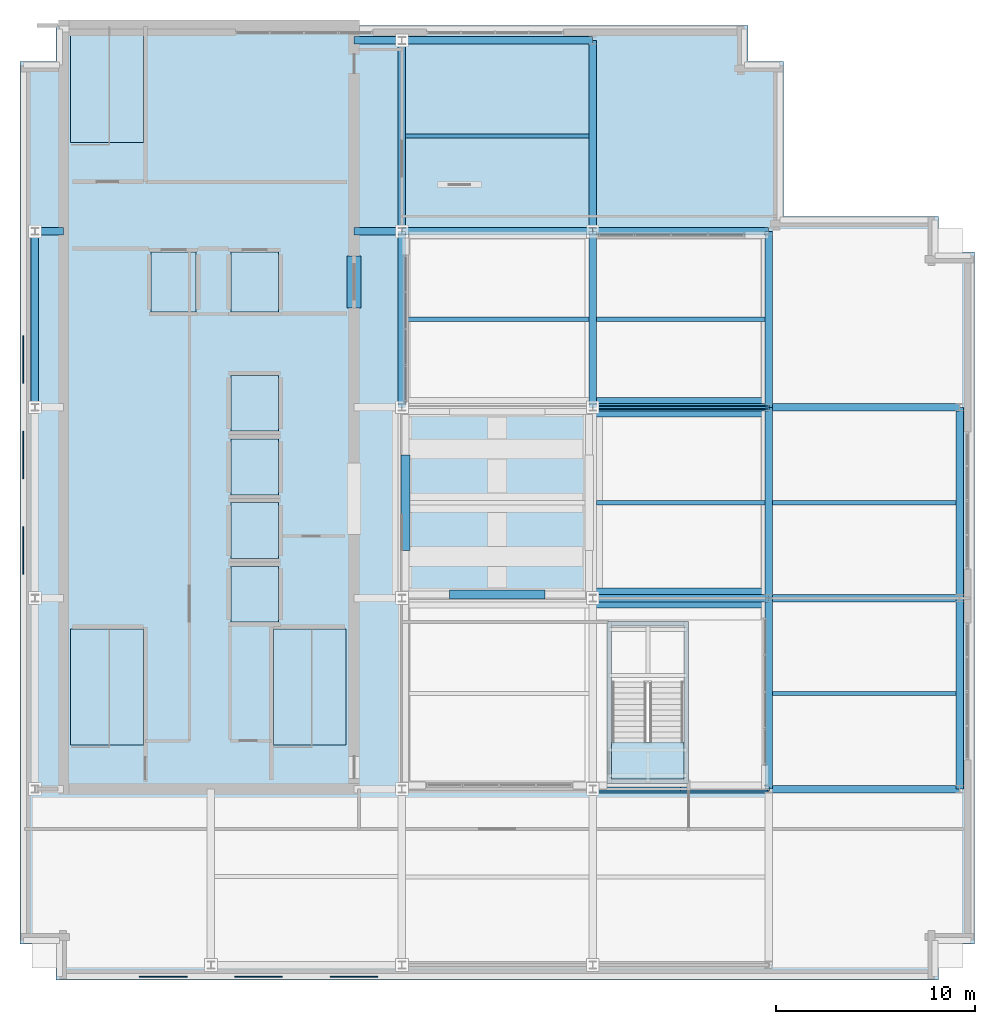
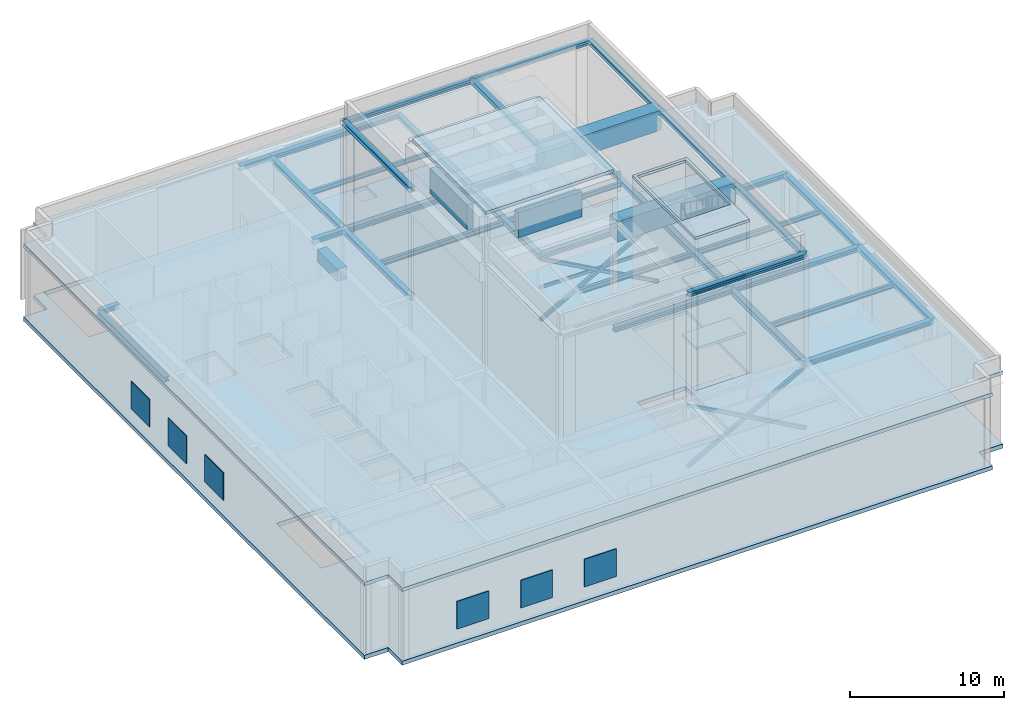
# One storey, part 4 of 17: 38 beams, 8 plates, 7 slabs, 5 members, 1 element without a shape of its own.
"""IFC4 building model written with IfcOpenShell, lengths in metres."""

from ifc_helpers import new_model, si_unit, direction, frame, origin, origin_2d, place, context, subcontext, project, spatial, polyline, rectangle, hollow_rectangle, i_section, outline, extrude, material, layer, layer_set, material_profile, profile_set, type_object, element, aggregate, save


model = new_model("IFC4")

# Units and contexts
model_context = context("Model", 3, precision=1e-05, world=origin(), true_north=direction((0.0, 1.0)))
body_context = subcontext(model_context, "Body", "Model", "MODEL_VIEW")
ifc_project = project(units=[si_unit("LENGTHUNIT", "METRE"), si_unit("AREAUNIT", "SQUARE_METRE"), si_unit("VOLUMEUNIT", "CUBIC_METRE"), si_unit("PLANEANGLEUNIT", "RADIAN"), si_unit("MASSUNIT", "GRAM", prefix="KILO")], contexts=[model_context])

# Site, building, storey
site_placement = place(None, origin())
site = spatial("IfcSite", under=ifc_project, at=site_placement, CompositionType="ELEMENT")
building_placement = place(site_placement, origin())
building = spatial("IfcBuilding", under=site, at=building_placement, Name="Norrvale University Quadrangle", CompositionType="ELEMENT")
storey_placement = place(building_placement, frame((0.0, 0.0, 308.0)))
storey = spatial("IfcBuildingStorey", under=building, at=storey_placement, Name="L78", CompositionType="ELEMENT", Elevation=308.0)

# Beams
ifc_material_1 = material(Name="Concrete C80/95", Category="concrete")
ifc_material_profile_1 = material_profile(ifc_material_1, rectangle(XDim=0.699951171875, YDim=0.949951171875, at=origin_2d()), Name="Concrete C80/95")
ifc_profile_set_1 = profile_set([ifc_material_profile_1], Name="Concrete C80/95")
beam_type_1 = type_object("IfcBeamType", Name="Beam Core Link 700x950", PredefinedType="LINTEL", material=ifc_profile_set_1)
beam_1_placement = place(storey_placement, frame((16.800048828125, 33.800048828125, 5.044921875), z_axis=(0.0, 1.0, 0.0), x_axis=(-1.0, 0.0, 0.0)))
element("IfcBeam", 1, at=beam_1_placement, inside=storey, type_object=beam_type_1, Name="Core Coupling Lintel Beam L78-2", PredefinedType="LINTEL", context=body_context, shape_type="SweptSolid", body=[
    extrude(rectangle(XDim=0.699951171875, YDim=0.949951171875, at=origin_2d()), origin(), (0.0, 0.0, 1.0), 2.599853515625),
])
ifc_material_2 = material(Name="Steel 350W", Category="steel")
ifc_material_profile_2 = material_profile(ifc_material_2, i_section(OverallWidth=0.368896484375, OverallDepth=0.35595703125, WebThickness=0.01123046875, FlangeThickness=0.01806640625, FilletRadius=0.014892578125, at=origin_2d()), Name="Steel 350W")
ifc_profile_set_2 = profile_set([ifc_material_profile_2], Name="Steel 350W")
beam_type_2 = type_object("IfcBeamType", Name="Beam Crown W360x134", PredefinedType="BEAM", material=ifc_profile_set_2)
beam_2_placement = place(storey_placement, frame((37.64990234375, 9.60009765625, 5.342041015625), z_axis=(1.0, 0.0, 0.0), x_axis=(0.0, 1.0, 0.0)))
element("IfcBeam", 2, at=beam_2_placement, inside=storey, type_object=beam_type_2, Name="Beam Crown W360x134 BM-L78-GX006", PredefinedType="BEAM", context=body_context, shape_type="SweptSolid", body=[
    extrude(i_section(OverallWidth=0.368896484375, OverallDepth=0.35595703125, WebThickness=0.01123046875, FlangeThickness=0.01806640625, FilletRadius=0.014892578125, at=origin_2d()), origin(), (0.0, 0.0, 1.0), 9.60009765625),
])
beam_3_placement = place(storey_placement, frame((28.800048828125, 19.199951171875, 5.342041015625), z_axis=(1.0, 0.0, 0.0), x_axis=(0.0, 1.0, 0.0)))
element("IfcBeam", 3, at=beam_3_placement, inside=storey, type_object=beam_type_2, Name="Beam Crown W360x134 BM-L78-GX008", PredefinedType="BEAM", context=body_context, shape_type="SweptSolid", body=[
    extrude(i_section(OverallWidth=0.368896484375, OverallDepth=0.35595703125, WebThickness=0.01123046875, FlangeThickness=0.01806640625, FilletRadius=0.014892578125, at=origin_2d()), origin(), (0.0, 0.0, 1.0), 8.849853515625),
])
beam_4_placement = place(storey_placement, frame((37.64990234375, 19.199951171875, 5.342041015625), z_axis=(1.0, 0.0, 0.0), x_axis=(0.0, 1.0, 0.0)))
element("IfcBeam", 4, at=beam_4_placement, inside=storey, type_object=beam_type_2, Name="Beam Crown W360x134 BM-L78-GX009", PredefinedType="BEAM", context=body_context, shape_type="SweptSolid", body=[
    extrude(i_section(OverallWidth=0.368896484375, OverallDepth=0.35595703125, WebThickness=0.01123046875, FlangeThickness=0.01806640625, FilletRadius=0.014892578125, at=origin_2d()), origin(), (0.0, 0.0, 1.0), 9.60009765625),
])
beam_5_placement = place(storey_placement, frame((28.800048828125, 28.800048828125, 5.342041015625), z_axis=(1.0, 0.0, 0.0), x_axis=(0.0, 1.0, 0.0)))
element("IfcBeam", 5, at=beam_5_placement, inside=storey, type_object=beam_type_2, Name="Beam Crown W360x134 BM-L78-GX011", PredefinedType="BEAM", context=body_context, shape_type="SweptSolid", body=[
    extrude(i_section(OverallWidth=0.368896484375, OverallDepth=0.35595703125, WebThickness=0.01123046875, FlangeThickness=0.01806640625, FilletRadius=0.014892578125, at=origin_2d()), origin(), (0.0, 0.0, 1.0), 8.849853515625),
])
for number, where, z_axis, x_axis, name in (
    (6, (37.64990234375, 28.800048828125, 5.342041015625), (1.0, 0.0, 0.0), (0.0, 1.0, 0.0), "Beam Crown W360x134 BM-L78-GX012"),
    (7, (19.199951171875, 37.64990234375, 5.342041015625), (1.0, 0.0, 0.0), (0.0, 1.0, 0.0), "Beam Crown W360x134 BM-L78-GX013"),
):
    element("IfcBeam", number, at=place(storey_placement, frame(where, z_axis=z_axis, x_axis=x_axis)), inside=storey, type_object=beam_type_2, Name=name, PredefinedType="BEAM", context=body_context, shape_type="SweptSolid", body=[
        extrude(i_section(OverallWidth=0.368896484375, OverallDepth=0.35595703125, WebThickness=0.01123046875, FlangeThickness=0.01806640625, FilletRadius=0.014892578125, at=origin_2d()), origin(), (0.0, 0.0, 1.0), 9.60009765625),
    ])
beam_6_placement = place(storey_placement, frame((28.800048828125, 37.64990234375, 5.342041015625), z_axis=(1.0, 0.0, 0.0), x_axis=(0.0, 1.0, 0.0)))
element("IfcBeam", 8, at=beam_6_placement, inside=storey, type_object=beam_type_2, Name="Beam Crown W360x134 BM-L78-GX014", PredefinedType="BEAM", context=body_context, shape_type="SweptSolid", body=[
    extrude(i_section(OverallWidth=0.368896484375, OverallDepth=0.35595703125, WebThickness=0.01123046875, FlangeThickness=0.01806640625, FilletRadius=0.014892578125, at=origin_2d()), origin(), (0.0, 0.0, 1.0), 8.849853515625),
])
beam_7_placement = place(storey_placement, frame((19.199951171875, 47.25, 5.342041015625), z_axis=(1.0, 0.0, 0.0), x_axis=(0.0, 1.0, 0.0)))
element("IfcBeam", 9, at=beam_7_placement, inside=storey, type_object=beam_type_2, Name="Beam Crown W360x134 BM-L78-GX015", PredefinedType="BEAM", context=body_context, shape_type="SweptSolid", body=[
    extrude(i_section(OverallWidth=0.368896484375, OverallDepth=0.35595703125, WebThickness=0.01123046875, FlangeThickness=0.01806640625, FilletRadius=0.014892578125, at=origin_2d()), origin(), (0.0, 0.0, 1.0), 9.60009765625),
])
for number, where, z_axis, x_axis, name in (
    (10, (0.75, 28.800048828125, 5.342041015625), (0.0, 1.0, 0.0), (-1.0, 0.0, 0.0), "Beam Crown W360x134 BM-L78-GY018"),
    (11, (19.199951171875, 28.800048828125, 5.342041015625), (0.0, 1.0, 0.0), (-1.0, 0.0, 0.0), "Beam Crown W360x134 BM-L78-GY022"),
):
    element("IfcBeam", number, at=place(storey_placement, frame(where, z_axis=z_axis, x_axis=x_axis)), inside=storey, type_object=beam_type_2, Name=name, PredefinedType="BEAM", context=body_context, shape_type="SweptSolid", body=[
        extrude(i_section(OverallWidth=0.368896484375, OverallDepth=0.35595703125, WebThickness=0.01123046875, FlangeThickness=0.01806640625, FilletRadius=0.014892578125, at=origin_2d()), origin(), (0.0, 0.0, 1.0), 8.849853515625),
    ])
beam_8_placement = place(storey_placement, frame((19.199951171875, 37.64990234375, 5.342041015625), z_axis=(0.0, 1.0, 0.0), x_axis=(-1.0, 0.0, 0.0)))
element("IfcBeam", 12, at=beam_8_placement, inside=storey, type_object=beam_type_2, Name="Beam Crown W360x134 BM-L78-GY023", PredefinedType="BEAM", context=body_context, shape_type="SweptSolid", body=[
    extrude(i_section(OverallWidth=0.368896484375, OverallDepth=0.35595703125, WebThickness=0.01123046875, FlangeThickness=0.01806640625, FilletRadius=0.014892578125, at=origin_2d()), origin(), (0.0, 0.0, 1.0), 9.60009765625),
])
beam_9_placement = place(storey_placement, frame((28.800048828125, 28.800048828125, 5.342041015625), z_axis=(0.0, 1.0, 0.0), x_axis=(-1.0, 0.0, 0.0)))
element("IfcBeam", 13, at=beam_9_placement, inside=storey, type_object=beam_type_2, Name="Beam Crown W360x134 BM-L78-GY027", PredefinedType="BEAM", context=body_context, shape_type="SweptSolid", body=[
    extrude(i_section(OverallWidth=0.368896484375, OverallDepth=0.35595703125, WebThickness=0.01123046875, FlangeThickness=0.01806640625, FilletRadius=0.014892578125, at=origin_2d()), origin(), (0.0, 0.0, 1.0), 8.849853515625),
])
beam_10_placement = place(storey_placement, frame((28.800048828125, 37.64990234375, 5.342041015625), z_axis=(0.0, 1.0, 0.0), x_axis=(-1.0, 0.0, 0.0)))
element("IfcBeam", 14, at=beam_10_placement, inside=storey, type_object=beam_type_2, Name="Beam Crown W360x134 BM-L78-GY028", PredefinedType="BEAM", context=body_context, shape_type="SweptSolid", body=[
    extrude(i_section(OverallWidth=0.368896484375, OverallDepth=0.35595703125, WebThickness=0.01123046875, FlangeThickness=0.01806640625, FilletRadius=0.014892578125, at=origin_2d()), origin(), (0.0, 0.0, 1.0), 9.60009765625),
])
beam_11_placement = place(storey_placement, frame((37.64990234375, 9.60009765625, 5.342041015625), z_axis=(0.0, 1.0, 0.0), x_axis=(-1.0, 0.0, 0.0)))
element("IfcBeam", 15, at=beam_11_placement, inside=storey, type_object=beam_type_2, Name="Beam Crown W360x134 BM-L78-GY030", PredefinedType="BEAM", context=body_context, shape_type="SweptSolid", body=[
    extrude(i_section(OverallWidth=0.368896484375, OverallDepth=0.35595703125, WebThickness=0.01123046875, FlangeThickness=0.01806640625, FilletRadius=0.014892578125, at=origin_2d()), origin(), (0.0, 0.0, 1.0), 9.599853515625),
])
beam_12_placement = place(storey_placement, frame((37.64990234375, 19.199951171875, 5.342041015625), z_axis=(0.0, 1.0, 0.0), x_axis=(-1.0, 0.0, 0.0)))
element("IfcBeam", 16, at=beam_12_placement, inside=storey, type_object=beam_type_2, Name="Beam Crown W360x134 BM-L78-GY031", PredefinedType="BEAM", context=body_context, shape_type="SweptSolid", body=[
    extrude(i_section(OverallWidth=0.368896484375, OverallDepth=0.35595703125, WebThickness=0.01123046875, FlangeThickness=0.01806640625, FilletRadius=0.014892578125, at=origin_2d()), origin(), (0.0, 0.0, 1.0), 9.60009765625),
])
beam_13_placement = place(storey_placement, frame((37.64990234375, 28.800048828125, 5.342041015625), z_axis=(0.0, 1.0, 0.0), x_axis=(-1.0, 0.0, 0.0)))
element("IfcBeam", 17, at=beam_13_placement, inside=storey, type_object=beam_type_2, Name="Beam Crown W360x134 BM-L78-GY032", PredefinedType="BEAM", context=body_context, shape_type="SweptSolid", body=[
    extrude(i_section(OverallWidth=0.368896484375, OverallDepth=0.35595703125, WebThickness=0.01123046875, FlangeThickness=0.01806640625, FilletRadius=0.014892578125, at=origin_2d()), origin(), (0.0, 0.0, 1.0), 8.849853515625),
])
beam_14_placement = place(storey_placement, frame((47.25, 9.60009765625, 5.342041015625), z_axis=(0.0, 1.0, 0.0), x_axis=(-1.0, 0.0, 0.0)))
element("IfcBeam", 18, at=beam_14_placement, inside=storey, type_object=beam_type_2, Name="Beam Crown W360x134 BM-L78-GY033", PredefinedType="BEAM", context=body_context, shape_type="SweptSolid", body=[
    extrude(i_section(OverallWidth=0.368896484375, OverallDepth=0.35595703125, WebThickness=0.01123046875, FlangeThickness=0.01806640625, FilletRadius=0.014892578125, at=origin_2d()), origin(), (0.0, 0.0, 1.0), 9.599853515625),
])
beam_15_placement = place(storey_placement, frame((47.25, 19.199951171875, 5.342041015625), z_axis=(0.0, 1.0, 0.0), x_axis=(-1.0, 0.0, 0.0)))
element("IfcBeam", 19, at=beam_15_placement, inside=storey, type_object=beam_type_2, Name="Beam Crown W360x134 BM-L78-GY034", PredefinedType="BEAM", context=body_context, shape_type="SweptSolid", body=[
    extrude(i_section(OverallWidth=0.368896484375, OverallDepth=0.35595703125, WebThickness=0.01123046875, FlangeThickness=0.01806640625, FilletRadius=0.014892578125, at=origin_2d()), origin(), (0.0, 0.0, 1.0), 9.60009765625),
])
beam_16_placement = place(storey_placement, frame((0.75, 37.64990234375, 5.342041015625), z_axis=(1.0, 0.0, 0.0), x_axis=(0.0, 1.0, 0.0)))
element("IfcBeam", 20, at=beam_16_placement, inside=storey, type_object=beam_type_2, Name="Beam Crown W360x134 BM-L78-GCW041", PredefinedType="BEAM", context=body_context, shape_type="SweptSolid", body=[
    extrude(i_section(OverallWidth=0.368896484375, OverallDepth=0.35595703125, WebThickness=0.01123046875, FlangeThickness=0.01806640625, FilletRadius=0.014892578125, at=origin_2d()), origin(), (0.0, 0.0, 1.0), 1.449951171875),
])
for number, where, z_axis, x_axis, name in (
    (21, (16.800048828125, 37.64990234375, 5.342041015625), (1.0, 0.0, 0.0), (0.0, 1.0, 0.0), "Beam Crown W360x134 BM-L78-GCE042"),
    (22, (16.800048828125, 47.25, 5.342041015625), (1.0, 0.0, 0.0), (0.0, 1.0, 0.0), "Beam Crown W360x134 BM-L78-GCE043"),
):
    element("IfcBeam", number, at=place(storey_placement, frame(where, z_axis=z_axis, x_axis=x_axis)), inside=storey, type_object=beam_type_2, Name=name, PredefinedType="BEAM", context=body_context, shape_type="SweptSolid", body=[
        extrude(i_section(OverallWidth=0.368896484375, OverallDepth=0.35595703125, WebThickness=0.01123046875, FlangeThickness=0.01806640625, FilletRadius=0.014892578125, at=origin_2d()), origin(), (0.0, 0.0, 1.0), 2.39990234375),
    ])
beam_17_placement = place(storey_placement, frame((28.800048828125, 9.60009765625, 13.94189453125), z_axis=(1.0, 0.0, 0.0), x_axis=(0.0, 1.0, 0.0)))
element("IfcBeam", 23, at=beam_17_placement, inside=storey, type_object=beam_type_2, Name="Crown Lantern Roof Girder X02", PredefinedType="BEAM", context=body_context, shape_type="SweptSolid", body=[
    extrude(i_section(OverallWidth=0.368896484375, OverallDepth=0.35595703125, WebThickness=0.01123046875, FlangeThickness=0.01806640625, FilletRadius=0.014892578125, at=origin_2d()), origin(), (0.0, 0.0, 1.0), 8.849853515625),
])
beam_18_placement = place(storey_placement, frame((19.199951171875, 37.64990234375, 13.94189453125), z_axis=(1.0, 0.0, 0.0), x_axis=(0.0, 1.0, 0.0)))
element("IfcBeam", 24, at=beam_18_placement, inside=storey, type_object=beam_type_2, Name="Crown Lantern Roof Girder X07", PredefinedType="BEAM", context=body_context, shape_type="SweptSolid", body=[
    extrude(i_section(OverallWidth=0.368896484375, OverallDepth=0.35595703125, WebThickness=0.01123046875, FlangeThickness=0.01806640625, FilletRadius=0.014892578125, at=origin_2d()), origin(), (0.0, 0.0, 1.0), 9.60009765625),
])
for number, where, z_axis, x_axis, name in (
    (25, (28.800048828125, 37.64990234375, 13.94189453125), (1.0, 0.0, 0.0), (0.0, 1.0, 0.0), "Crown Lantern Roof Girder X08"),
    (26, (19.199951171875, 28.800048828125, 13.94189453125), (0.0, 1.0, 0.0), (-1.0, 0.0, 0.0), "Crown Lantern Roof Girder Y11"),
    (27, (28.800048828125, 28.800048828125, 13.94189453125), (0.0, 1.0, 0.0), (-1.0, 0.0, 0.0), "Crown Lantern Roof Girder Y14"),
):
    element("IfcBeam", number, at=place(storey_placement, frame(where, z_axis=z_axis, x_axis=x_axis)), inside=storey, type_object=beam_type_2, Name=name, PredefinedType="BEAM", context=body_context, shape_type="SweptSolid", body=[
        extrude(i_section(OverallWidth=0.368896484375, OverallDepth=0.35595703125, WebThickness=0.01123046875, FlangeThickness=0.01806640625, FilletRadius=0.014892578125, at=origin_2d()), origin(), (0.0, 0.0, 1.0), 8.849853515625),
    ])
beam_19_placement = place(storey_placement, frame((37.64990234375, 9.60009765625, 13.94189453125), z_axis=(0.0, 1.0, 0.0), x_axis=(-1.0, 0.0, 0.0)))
element("IfcBeam", 28, at=beam_19_placement, inside=storey, type_object=beam_type_2, Name="Crown Lantern Roof Girder Y15", PredefinedType="BEAM", context=body_context, shape_type="SweptSolid", body=[
    extrude(i_section(OverallWidth=0.368896484375, OverallDepth=0.35595703125, WebThickness=0.01123046875, FlangeThickness=0.01806640625, FilletRadius=0.014892578125, at=origin_2d()), origin(), (0.0, 0.0, 1.0), 9.599853515625),
])
beam_20_placement = place(storey_placement, frame((37.64990234375, 19.199951171875, 13.94189453125), z_axis=(0.0, 1.0, 0.0), x_axis=(-1.0, 0.0, 0.0)))
element("IfcBeam", 29, at=beam_20_placement, inside=storey, type_object=beam_type_2, Name="Crown Lantern Roof Girder Y16", PredefinedType="BEAM", context=body_context, shape_type="SweptSolid", body=[
    extrude(i_section(OverallWidth=0.368896484375, OverallDepth=0.35595703125, WebThickness=0.01123046875, FlangeThickness=0.01806640625, FilletRadius=0.014892578125, at=origin_2d()), origin(), (0.0, 0.0, 1.0), 9.60009765625),
])
beam_21_placement = place(storey_placement, frame((37.64990234375, 28.800048828125, 13.94189453125), z_axis=(0.0, 1.0, 0.0), x_axis=(-1.0, 0.0, 0.0)))
element("IfcBeam", 30, at=beam_21_placement, inside=storey, type_object=beam_type_2, Name="Crown Lantern Roof Girder Y17", PredefinedType="BEAM", context=body_context, shape_type="SweptSolid", body=[
    extrude(i_section(OverallWidth=0.368896484375, OverallDepth=0.35595703125, WebThickness=0.01123046875, FlangeThickness=0.01806640625, FilletRadius=0.014892578125, at=origin_2d()), origin(), (0.0, 0.0, 1.0), 8.849853515625),
])
ifc_material_profile_3 = material_profile(ifc_material_2, i_section(OverallWidth=0.205078125, OverallDepth=0.35400390625, WebThickness=0.009521484375, FlangeThickness=0.016845703125, FilletRadius=0.011962890625, at=origin_2d()), Name="Steel 350W")
ifc_profile_set_3 = profile_set([ifc_material_profile_3], Name="Steel 350W")
beam_type_3 = type_object("IfcBeamType", Name="Beam Crown W360x79", PredefinedType="BEAM", material=ifc_profile_set_3)
for number, where, z_axis, x_axis, name in (
    (31, (19.384521484375, 33.22509765625, 5.343017578125), (1.0, 0.0, 0.0), (0.0, 1.0, 0.0), "Beam Crown W360x79 BM-L78-J047"),
    (32, (19.384521484375, 42.449951171875, 5.343017578125), (1.0, 0.0, 0.0), (0.0, 1.0, 0.0), "Beam Crown W360x79 BM-L78-J048"),
):
    element("IfcBeam", number, at=place(storey_placement, frame(where, z_axis=z_axis, x_axis=x_axis)), inside=storey, type_object=beam_type_3, Name=name, PredefinedType="BEAM", context=body_context, shape_type="SweptSolid", body=[
        extrude(i_section(OverallWidth=0.205078125, OverallDepth=0.35400390625, WebThickness=0.009521484375, FlangeThickness=0.016845703125, FilletRadius=0.011962890625, at=origin_2d()), origin(), (0.0, 0.0, 1.0), 9.23095703125),
    ])
for number, where, z_axis, x_axis, name in (
    (33, (28.984619140625, 24.0, 5.343017578125), (1.0, 0.0, 0.0), (0.0, 1.0, 0.0), "Beam Crown W360x79 BM-L78-J050"),
    (34, (28.984619140625, 33.22509765625, 5.343017578125), (1.0, 0.0, 0.0), (0.0, 1.0, 0.0), "Beam Crown W360x79 BM-L78-J051"),
):
    element("IfcBeam", number, at=place(storey_placement, frame(where, z_axis=z_axis, x_axis=x_axis)), inside=storey, type_object=beam_type_3, Name=name, PredefinedType="BEAM", context=body_context, shape_type="SweptSolid", body=[
        extrude(i_section(OverallWidth=0.205078125, OverallDepth=0.35400390625, WebThickness=0.009521484375, FlangeThickness=0.016845703125, FilletRadius=0.011962890625, at=origin_2d()), origin(), (0.0, 0.0, 1.0), 8.48095703125),
    ])
for number, where, z_axis, x_axis, name in (
    (35, (37.83447265625, 14.39990234375, 5.343017578125), (1.0, 0.0, 0.0), (0.0, 1.0, 0.0), "Beam Crown W360x79 BM-L78-J052"),
    (36, (37.83447265625, 24.0, 5.343017578125), (1.0, 0.0, 0.0), (0.0, 1.0, 0.0), "Beam Crown W360x79 BM-L78-J053"),
):
    element("IfcBeam", number, at=place(storey_placement, frame(where, z_axis=z_axis, x_axis=x_axis)), inside=storey, type_object=beam_type_3, Name=name, PredefinedType="BEAM", context=body_context, shape_type="SweptSolid", body=[
        extrude(i_section(OverallWidth=0.205078125, OverallDepth=0.35400390625, WebThickness=0.009521484375, FlangeThickness=0.016845703125, FilletRadius=0.011962890625, at=origin_2d()), origin(), (0.0, 0.0, 1.0), 9.23095703125),
    ])
ifc_material_profile_4 = material_profile(ifc_material_1, rectangle(XDim=1.0, YDim=1.60009765625, at=origin_2d()), Name="Concrete C80/95")
ifc_profile_set_4 = profile_set([ifc_material_profile_4], Name="Concrete C80/95")
beam_type_4 = type_object("IfcBeamType", Name="Beam Transfer 1000x1600", PredefinedType="USERDEFINED", material=ifc_profile_set_4)
for number, where, z_axis, x_axis, name in (
    (37, (28.800048828125, 19.199951171875, 13.320068359375), (1.0, 0.0, 0.0), (0.0, 1.0, 0.0), "Crown Lantern Roof Girder X04"),
    (38, (28.800048828125, 28.800048828125, 13.320068359375), (1.0, 0.0, 0.0), (0.0, 1.0, 0.0), "Crown Lantern Roof Girder X06"),
):
    element("IfcBeam", number, at=place(storey_placement, frame(where, z_axis=z_axis, x_axis=x_axis)), inside=storey, type_object=beam_type_4, Name=name, ObjectType="TRANSFER GIRDER", PredefinedType="USERDEFINED", context=body_context, shape_type="SweptSolid", body=[
        extrude(rectangle(XDim=1.0, YDim=1.60009765625, at=origin_2d()), origin(), (0.0, 0.0, 1.0), 8.849853515625),
    ])

# Members
ifc_material_profile_5 = material_profile(ifc_material_2, hollow_rectangle(XDim=0.202880859375, YDim=0.202880859375, WallThickness=0.010009765625, at=origin_2d()), Name="Steel 350W")
ifc_profile_set_5 = profile_set([ifc_material_profile_5], Name="Steel 350W")
member_type_1 = type_object("IfcMemberType", Name="Member Crown Brace HSS203", PredefinedType="BRACE", material=ifc_profile_set_5)
for number, where, z_axis, x_axis, name in (
    (39, (28.800048828125, 9.60009765625, 0.199951171875), (0.874846272408, 0.0, 0.484400660253), (0.0, 1.0, 0.0), "Crown Lateral Brace 2.2A"),
    (40, (37.64990234375, 9.60009765625, 0.199951171875), (-0.874846272408, 0.0, 0.484400660253), (0.0, -1.0, 0.0), "Crown Counter Brace 2.2B"),
    (41, (28.800048828125, 28.800048828125, 0.199951171875), (0.874846272408, 0.0, 0.484400660253), (0.0, 1.0, 0.0), "Crown Lateral Brace 3.2A"),
    (42, (37.64990234375, 28.800048828125, 0.199951171875), (-0.874846272408, 0.0, 0.484400660253), (0.0, -1.0, 0.0), "Crown Counter Brace 3.2B"),
):
    element("IfcMember", number, at=place(storey_placement, frame(where, z_axis=z_axis, x_axis=x_axis)), inside=storey, type_object=member_type_1, Name=name, PredefinedType="BRACE", context=body_context, shape_type="SweptSolid", body=[
        extrude(hollow_rectangle(XDim=0.202880859375, YDim=0.202880859375, WallThickness=0.010009765625, at=origin_2d()), origin(), (0.0, 0.0, 1.0), 10.115966796875),
    ])
ifc_material_profile_6 = material_profile(ifc_material_2, hollow_rectangle(XDim=0.10205078125, YDim=0.202880859375, WallThickness=0.008056640625, at=origin_2d()), Name="Steel 350W")
ifc_profile_set_6 = profile_set([ifc_material_profile_6], Name="Steel 350W")
member_type_2 = type_object("IfcMemberType", Name="Member Girt HSS203x102", PredefinedType="STRINGER", material=ifc_profile_set_6)
member_placement = place(storey_placement, frame((28.800048828125, 28.800048828125, 2.800048828125), z_axis=(1.0, 0.0, 0.0), x_axis=(0.0, 1.0, 0.0)))
element("IfcMember", 43, at=member_placement, inside=storey, type_object=member_type_2, Name="Crown Enclosure Girt 3.2", PredefinedType="STRINGER", context=body_context, shape_type="SweptSolid", body=[
    extrude(hollow_rectangle(XDim=0.10205078125, YDim=0.202880859375, WallThickness=0.008056640625, at=origin_2d()), origin(), (0.0, 0.0, 1.0), 8.849853515625),
])

# Plates
ifc_material_3 = material(Name="Perforated Acoustic Aluminium Screen", Category="aluminium")
ifc_layer_1 = layer(ifc_material_3, 0.06005859375, Name="Perforated Acoustic Aluminium Screen")
ifc_layer_set_1 = layer_set([ifc_layer_1], Name="Perforated Acoustic Aluminium Screen")
plate_type = type_object("IfcPlateType", Name="Plate Crown Screen 60", PredefinedType="USERDEFINED", material=ifc_layer_set_1)
for number, where, z_axis, x_axis, name in (
    (44, (7.199951171875, 0.159912109375, 1.0), (0.0, 0.0, 1.0), (1.0, 0.0, 0.0), "Acoustic Louvered Crown Screen 013"),
    (45, (12.0, 0.159912109375, 1.0), (0.0, 0.0, 1.0), (1.0, 0.0, 0.0), "Acoustic Louvered Crown Screen 014"),
    (46, (16.800048828125, 0.159912109375, 1.0), (0.0, 0.0, 1.0), (1.0, 0.0, 0.0), "Acoustic Louvered Crown Screen 015"),
    (47, (0.159912109375, 31.199951171875, 1.0), (0.0, 0.0, 1.0), (0.0, -1.0, 0.0), "Acoustic Louvered Crown Screen 016"),
    (48, (0.159912109375, 26.39990234375, 1.0), (0.0, 0.0, 1.0), (0.0, -1.0, 0.0), "Acoustic Louvered Crown Screen 017"),
    (49, (0.159912109375, 21.60009765625, 1.0), (0.0, 0.0, 1.0), (0.0, -1.0, 0.0), "Acoustic Louvered Crown Screen 018"),
):
    element("IfcPlate", number, at=place(storey_placement, frame(where, z_axis=z_axis, x_axis=x_axis)), inside=storey, type_object=plate_type, Name=name, ObjectType="CROWN SCREEN", PredefinedType="USERDEFINED", context=body_context, shape_type="SweptSolid", body=[
        extrude(rectangle(XDim=2.39990234375, YDim=0.06005859375, at=origin_2d()), origin(), (0.0, 0.0, 1.0), 2.199951171875),
    ])
for number, where, z_axis, x_axis, name in (
    (50, (24.0, 19.3798828125, 15.10009765625), (0.0, 0.0, 1.0), (1.0, 0.0, 0.0), "Spire Plinth Architectural Screen S"),
    (51, (19.3798828125, 24.0, 15.10009765625), (0.0, 0.0, 1.0), (0.0, 1.0, 0.0), "Spire Plinth Architectural Screen W"),
):
    element("IfcPlate", number, at=place(storey_placement, frame(where, z_axis=z_axis, x_axis=x_axis)), inside=storey, type_object=plate_type, Name=name, ObjectType="CROWN SCREEN", PredefinedType="USERDEFINED", context=body_context, shape_type="SweptSolid", body=[
        extrude(rectangle(XDim=4.800048828125, YDim=0.43994140625, at=origin_2d()), origin(), (0.0, 0.0, 1.0), 2.0),
    ])

# Stair, slabs
ifc_material_4 = material(Name="Concrete C40/50", Category="concrete")
stair_type = type_object("IfcStairType", Name="Stair Tower Crown 5800", PredefinedType="TWO_STRAIGHT_RUN_STAIR", material=ifc_material_4)
stair_placement = place(storey_placement, origin())
stair = element("IfcStair", 52, at=stair_placement, inside=storey, type_object=stair_type, Name="Crown Spire Access Stair ST-04 L78", PredefinedType="TWO_STRAIGHT_RUN_STAIR")
ifc_layer_2 = layer(ifc_material_4, 0.199951171875, Name="Concrete C40/50")
ifc_layer_set_2 = layer_set([ifc_layer_2], Name="Concrete C40/50")
slab_type_1 = type_object("IfcSlabType", Name="Slab Landing 200", PredefinedType="LANDING", material=ifc_layer_set_2)
slab_1_placement = place(storey_placement, frame((0.0, 0.0, 4.300048828125)))
slab_1 = element("IfcSlab", 53, at=slab_1_placement, type_object=slab_type_1, Name="Crown Access Stair ST-04 L78 Landing 2", PredefinedType="LANDING", context=body_context, shape_type="SweptSolid", body=[
    extrude(outline(polyline([(29.75, 10.10009765625), (33.39990234375, 10.10009765625), (33.39990234375, 11.9599609375), (29.75, 11.9599609375), (29.75, 10.10009765625)])), origin(), (0.0, 0.0, 1.0), 0.199951171875),
])
slab_2_placement = place(storey_placement, frame((0.0, 0.0, 8.800048828125)))
slab_2 = element("IfcSlab", 54, at=slab_2_placement, type_object=slab_type_1, Name="Crown Access Stair ST-04 L78 Landing 4", PredefinedType="LANDING", context=body_context, shape_type="SweptSolid", body=[
    extrude(outline(polyline([(29.75, 10.10009765625), (33.39990234375, 10.10009765625), (33.39990234375, 11.9599609375), (29.75, 11.9599609375), (29.75, 10.10009765625)])), origin(), (0.0, 0.0, 1.0), 0.199951171875),
])
slab_3_placement = place(storey_placement, frame((0.0, 0.0, 13.300048828125)))
slab_3 = element("IfcSlab", 55, at=slab_3_placement, type_object=slab_type_1, Name="Crown Access Stair ST-04 L78 Landing 6", PredefinedType="LANDING", context=body_context, shape_type="SweptSolid", body=[
    extrude(outline(polyline([(29.75, 10.10009765625), (33.39990234375, 10.10009765625), (33.39990234375, 11.9599609375), (29.75, 11.9599609375), (29.75, 10.10009765625)])), origin(), (0.0, 0.0, 1.0), 0.199951171875),
])
placement = place(building_placement, frame((0.0, 0.0, 326.0)))
slab_4_placement = place(placement, frame((0.0, 0.0, -0.199951171875)))
slab_4 = element("IfcSlab", 56, at=slab_4_placement, type_object=slab_type_1, Name="Crown Stair Penthouse Arrival Landing", PredefinedType="LANDING", context=body_context, shape_type="SweptSolid", body=[
    extrude(outline(polyline([(29.530029296875, 9.8798828125), (33.6201171875, 9.8798828125), (33.6201171875, 18.02001953125), (29.530029296875, 18.02001953125), (29.530029296875, 9.8798828125)]), holes=[polyline([(29.75, 11.9599609375), (33.39990234375, 11.9599609375), (33.39990234375, 17.800048828125), (29.75, 17.800048828125), (29.75, 11.9599609375)])]), origin(), (0.0, 0.0, 1.0), 0.199951171875),
])
aggregate(stair, [slab_1, slab_2, slab_3, slab_4])

# Slabs
ifc_material_5 = material(Name="Concrete C50/60", Category="concrete")
ifc_layer_3 = layer(ifc_material_5, 0.280029296875, Name="Concrete C50/60")
ifc_layer_set_3 = layer_set([ifc_layer_3], Name="Concrete C50/60")
slab_type_2 = type_object("IfcSlabType", Name="Slab Main Roof 280", PredefinedType="ROOF", material=ifc_layer_set_3)
slab_5_placement = place(storey_placement, frame((0.0, 0.0, 5.52001953125)))
element("IfcSlab", 57, at=slab_5_placement, inside=storey, type_object=slab_type_2, Name="Tower L78 Lower Crown Deck Slab", PredefinedType="ROOF", context=body_context, shape_type="SweptSolid", body=[
    extrude(outline(polyline([(1.800048828125, 0.0), (46.199951171875, 0.0), (46.199951171875, 1.800048828125), (48.0, 1.800048828125), (48.0, 36.60009765625), (46.199951171875, 36.60009765625), (46.199951171875, 38.39990234375), (38.39990234375, 38.39990234375), (38.39990234375, 46.199951171875), (36.60009765625, 46.199951171875), (36.60009765625, 48.0), (1.800048828125, 48.0), (1.800048828125, 46.199951171875), (0.0, 46.199951171875), (0.0, 1.800048828125), (1.800048828125, 1.800048828125), (1.800048828125, 0.0)]), holes=[polyline([(29.52490234375, 9.875), (33.625, 9.875), (33.625, 18.02490234375), (29.52490234375, 18.02490234375), (29.52490234375, 9.875)]), polyline([(21.550048828125, 39.300048828125), (22.64990234375, 39.300048828125), (22.64990234375, 40.699951171875), (21.550048828125, 40.699951171875), (21.550048828125, 39.300048828125)])]), origin(), (0.0, 0.0, 1.0), 0.280029296875),
])
ifc_layer_4 = layer(ifc_material_4, 0.320068359375, Name="Concrete C40/50")
ifc_layer_set_4 = layer_set([ifc_layer_4], Name="Concrete C40/50")
slab_type_3 = type_object("IfcSlabType", Name="Slab Plant 320", PredefinedType="FLOOR", material=ifc_layer_set_4)
slab_6_placement = place(storey_placement, frame((0.0, 0.0, -0.320068359375)))
element("IfcSlab", 58, at=slab_6_placement, inside=storey, type_object=slab_type_3, Name="Tower L78 Floor Slab", PredefinedType="FLOOR", context=body_context, shape_type="SweptSolid", body=[
    extrude(outline(polyline([(1.800048828125, 0.0), (46.199951171875, 0.0), (46.199951171875, 1.800048828125), (48.0, 1.800048828125), (48.0, 36.60009765625), (46.199951171875, 36.60009765625), (46.199951171875, 38.39990234375), (38.39990234375, 38.39990234375), (38.39990234375, 46.199951171875), (36.60009765625, 46.199951171875), (36.60009765625, 48.0), (1.800048828125, 48.0), (1.800048828125, 46.199951171875), (0.0, 46.199951171875), (0.0, 1.800048828125), (1.800048828125, 1.800048828125), (1.800048828125, 0.0)]), holes=[polyline([(2.550048828125, 11.81005859375), (6.199951171875, 11.81005859375), (6.199951171875, 17.64990234375), (2.550048828125, 17.64990234375), (2.550048828125, 11.81005859375)]), polyline([(2.550048828125, 42.110107421875), (6.199951171875, 42.110107421875), (6.199951171875, 47.949951171875), (2.550048828125, 47.949951171875), (2.550048828125, 42.110107421875)]), polyline([(12.75, 11.81005859375), (16.39990234375, 11.81005859375), (16.39990234375, 17.64990234375), (12.75, 17.64990234375), (12.75, 11.81005859375)]), polyline([(29.75, 11.9599609375), (33.39990234375, 11.9599609375), (33.39990234375, 17.800048828125), (29.75, 17.800048828125), (29.75, 11.9599609375)]), polyline([(10.60009765625, 18.0), (13.0, 18.0), (13.0, 20.800048828125), (10.60009765625, 20.800048828125), (10.60009765625, 18.0)]), polyline([(10.60009765625, 21.199951171875), (13.0, 21.199951171875), (13.0, 24.0), (10.60009765625, 24.0), (10.60009765625, 21.199951171875)]), polyline([(10.60009765625, 24.39990234375), (13.0, 24.39990234375), (13.0, 27.199951171875), (10.60009765625, 27.199951171875), (10.60009765625, 24.39990234375)]), polyline([(10.60009765625, 27.60009765625), (13.0, 27.60009765625), (13.0, 30.39990234375), (10.60009765625, 30.39990234375), (10.60009765625, 27.60009765625)]), polyline([(6.60009765625, 33.60009765625), (8.85009765625, 33.60009765625), (8.85009765625, 36.60009765625), (6.60009765625, 36.60009765625), (6.60009765625, 33.60009765625)]), polyline([(10.60009765625, 33.60009765625), (13.0, 33.60009765625), (13.0, 36.60009765625), (10.60009765625, 36.60009765625), (10.60009765625, 33.60009765625)])]), origin(), (0.0, 0.0, 1.0), 0.320068359375),
])
ifc_layer_5 = layer(ifc_material_4, 0.239990234375, Name="Concrete C40/50")
ifc_layer_set_5 = layer_set([ifc_layer_5], Name="Concrete C40/50")
slab_type_4 = type_object("IfcSlabType", Name="Slab Tower Upper 240", PredefinedType="FLOOR", material=ifc_layer_set_5)
slab_7_placement = place(storey_placement, frame((0.0, 0.0, 17.760009765625)))
element("IfcSlab", 59, at=slab_7_placement, inside=storey, type_object=slab_type_4, Name="Crown Spire Plinth Cap Slab", PredefinedType="FLOOR", context=body_context, shape_type="SweptSolid", body=[
    extrude(outline(polyline([(19.199951171875, 19.199951171875), (28.800048828125, 19.199951171875), (28.800048828125, 28.800048828125), (19.199951171875, 28.800048828125), (19.199951171875, 19.199951171875)])), origin(), (0.0, 0.0, 1.0), 0.239990234375),
])

save(model, "model.ifc")
